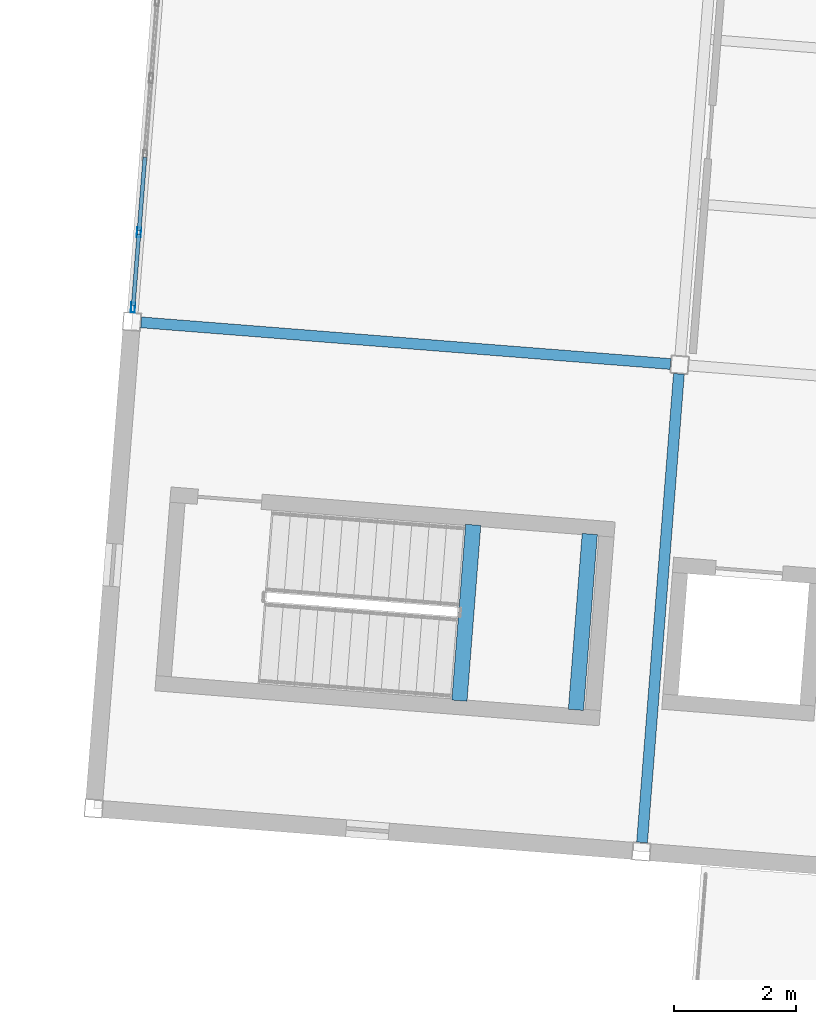
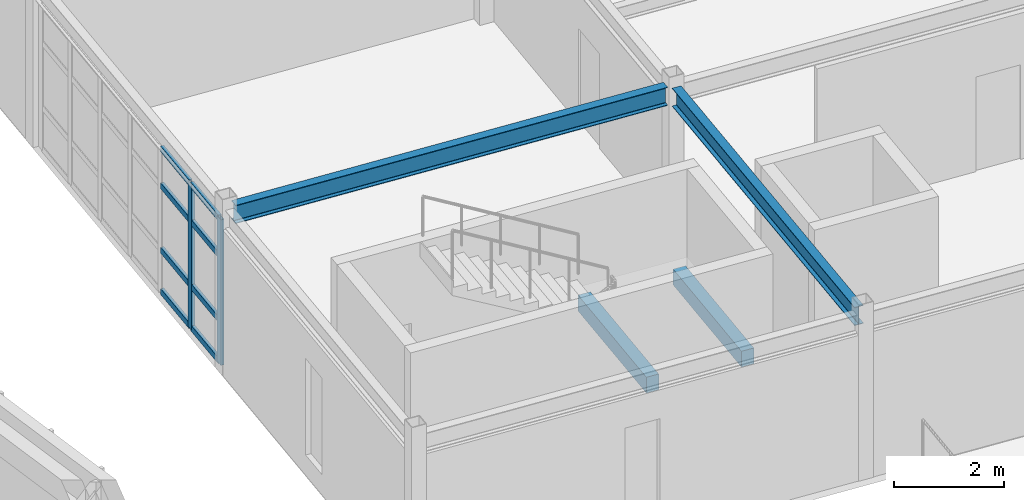
# One storey, part 44 of 150: 10 members, 4 beams, 1 element without a shape of its own.
"""IFC4 building model written with IfcOpenShell, lengths in metres."""

from ifc_helpers import new_model, si_unit, direction, frame, origin, origin_2d, place, context, subcontext, project, spatial, rectangle, hollow_rectangle, i_section, extrude, material, material_profile, profile_set, type_object, element, aggregate, save


model = new_model("IFC4")

# Units and contexts
model_context = context("Model", 3, precision=1e-05, world=origin(), true_north=direction((0.0, 1.0)))
body_context = subcontext(model_context, "Body", "Model", "MODEL_VIEW")
ifc_project = project(units=[si_unit("LENGTHUNIT", "METRE"), si_unit("AREAUNIT", "SQUARE_METRE"), si_unit("VOLUMEUNIT", "CUBIC_METRE"), si_unit("PLANEANGLEUNIT", "RADIAN"), si_unit("MASSUNIT", "GRAM", prefix="KILO")], contexts=[model_context])

# Site, building, storey
site_placement = place(None, origin())
site = spatial("IfcSite", under=ifc_project, at=site_placement, CompositionType="ELEMENT")
building_placement = place(site_placement, origin())
building = spatial("IfcBuilding", under=site, at=building_placement, Name="Kestramere Prow Commons", CompositionType="ELEMENT")
storey_placement = place(building_placement, frame((0.0, 0.0, 4.5)))
storey = spatial("IfcBuildingStorey", under=building, at=storey_placement, Name="L01", CompositionType="ELEMENT", Elevation=4.5)

# Beams
ifc_material_1 = material(Name="Steel S355JR", Category="steel")
ifc_material_profile_1 = material_profile(ifc_material_1, i_section(OverallWidth=0.177978515625, OverallDepth=0.406494140625, WebThickness=0.0078125, FlangeThickness=0.0126953125, FilletRadius=0.01025390625, at=origin_2d()), Name="UB 406x178x60")
ifc_profile_set_1 = profile_set([ifc_material_profile_1], Name="Steel S355JR")
beam_type_1 = type_object("IfcBeamType", Name="BM-NR-01 UB 406x178x60", PredefinedType="BEAM", material=ifc_profile_set_1)
beam_1_placement = place(storey_placement, frame((69.377197265625, 93.463623046875, 3.44677734375), z_axis=(0.996917066238, -0.078462494502, 0.0), x_axis=(0.078462494502, 0.996917066238, 0.0)))
element("IfcBeam", 1, at=beam_1_placement, inside=storey, type_object=beam_type_1, Name="Nursery L01 Beam U 2-1", PredefinedType="BEAM", context=body_context, shape_type="SweptSolid", body=[
    extrude(i_section(OverallWidth=0.177978515625, OverallDepth=0.406494140625, WebThickness=0.0078125, FlangeThickness=0.0126953125, FilletRadius=0.01025390625, at=origin_2d()), origin(), (0.0, 0.0, 1.0), 8.699951171875),
])
beam_2_placement = place(storey_placement, frame((77.583984375, 84.943359375, 3.44677734375), z_axis=(0.078473620365, 0.996916190513, 0.0), x_axis=(-0.996916190513, 0.078473620365, 0.0)))
element("IfcBeam", 2, at=beam_2_placement, inside=storey, type_object=beam_type_1, Name="Nursery L01 Beam V 2-1", PredefinedType="BEAM", context=body_context, shape_type="SweptSolid", body=[
    extrude(i_section(OverallWidth=0.177978515625, OverallDepth=0.406494140625, WebThickness=0.0078125, FlangeThickness=0.0126953125, FilletRadius=0.01025390625, at=origin_2d()), origin(), (0.0, 0.0, 1.0), 7.699951171875),
])
ifc_material_2 = material(Name="Concrete C40/50", Category="concrete")
ifc_material_profile_2 = material_profile(ifc_material_2, rectangle(XDim=0.25, YDim=0.35009765625, at=origin_2d()), Name="PC-BM 250x350")
ifc_profile_set_2 = profile_set([ifc_material_profile_2], Name="Concrete C40/50")
beam_type_2 = type_object("IfcBeamType", Name="BM-ST-TRIM", PredefinedType="BEAM", material=ifc_profile_set_2)
beam_3_placement = place(storey_placement, frame((74.592041015625, 87.265380859375, 1.574951171875), z_axis=(0.078395384877, 0.996922345837, 0.0), x_axis=(-0.996922345837, 0.078395384877, 0.0)))
element("IfcBeam", 3, at=beam_3_placement, inside=storey, type_object=beam_type_2, Name="ST-N1 L01 Landing Trimmer Beam 1A", PredefinedType="BEAM", context=body_context, shape_type="SweptSolid", body=[
    extrude(rectangle(XDim=0.25, YDim=0.35009765625, at=origin_2d()), origin(), (0.0, 0.0, 1.0), 2.889892578125),
])
beam_4_placement = place(storey_placement, frame((76.5009765625, 87.114990234375, 1.574951171875), z_axis=(0.078479342642, 0.99691574006, 0.0), x_axis=(-0.99691574006, 0.078479342642, 0.0)))
element("IfcBeam", 4, at=beam_4_placement, inside=storey, type_object=beam_type_2, Name="ST-N1 L01 Landing Trimmer Beam 1B", PredefinedType="BEAM", context=body_context, shape_type="SweptSolid", body=[
    extrude(rectangle(XDim=0.25, YDim=0.35009765625, at=origin_2d()), origin(), (0.0, 0.0, 1.0), 2.89013671875),
])

# Curtain wall, members
ifc_material_3 = material(Name="Anodised Aluminium and Low-E Glass", Category="aluminium")
curtain_wall_type = type_object("IfcCurtainWallType", Name="CW-16 Glazed Curtain Wall 7600x3230", PredefinedType="USERDEFINED", material=ifc_material_3)
curtain_wall_placement = place(storey_placement, origin())
curtain_wall = element("IfcCurtainWall", 5, at=curtain_wall_placement, inside=storey, type_object=curtain_wall_type, Name="Nursery L01 W End Glazing", ObjectType="GLAZED CURTAIN WALL", PredefinedType="USERDEFINED")
ifc_material_4 = material(Name="Anodised Aluminium 6063-T6", Category="aluminium")
ifc_material_profile_3 = material_profile(ifc_material_4, hollow_rectangle(XDim=0.06494140625, YDim=0.159912109375, WallThickness=0.00390625, at=origin_2d()), Name="ALU-MUL 65x160")
ifc_profile_set_3 = profile_set([ifc_material_profile_3], Name="Anodised Aluminium 6063-T6")
member_type_1 = type_object("IfcMemberType", Name="CW-MUL-65x160", PredefinedType="MULLION", material=ifc_profile_set_3)
member_1_placement = place(storey_placement, frame((69.245849609375, 93.70703125, 0.0), z_axis=(0.0, 0.0, 1.0), x_axis=(-0.996917335259, 0.078459076345, 0.0)))
member_1 = element("IfcMember", 6, at=member_1_placement, type_object=member_type_1, Name="CW-16 mullion 1", PredefinedType="MULLION", context=body_context, shape_type="SweptSolid", body=[
    extrude(hollow_rectangle(XDim=0.06494140625, YDim=0.159912109375, WallThickness=0.00390625, at=origin_2d()), origin(), (0.0, 0.0, 1.0), 3.22998046875),
])
member_2_placement = place(storey_placement, frame((69.3427734375, 94.9375, 0.0), z_axis=(0.0, 0.0, 1.0), x_axis=(-0.996917335259, 0.078459076345, 0.0)))
member_2 = element("IfcMember", 7, at=member_2_placement, type_object=member_type_1, Name="CW-16 mullion 2", PredefinedType="MULLION", context=body_context, shape_type="SweptSolid", body=[
    extrude(hollow_rectangle(XDim=0.06494140625, YDim=0.159912109375, WallThickness=0.00390625, at=origin_2d()), origin(), (0.0, 0.0, 1.0), 3.22998046875),
])
ifc_material_profile_4 = material_profile(ifc_material_4, hollow_rectangle(XDim=0.06494140625, YDim=0.1298828125, WallThickness=0.00390625, at=origin_2d()), Name="ALU-TRN 65x130")
ifc_profile_set_4 = profile_set([ifc_material_profile_4], Name="Anodised Aluminium 6063-T6")
member_type_2 = type_object("IfcMemberType", Name="CW-TRN-65x130", PredefinedType="USERDEFINED", material=ifc_profile_set_4)
member_3_placement = place(storey_placement, frame((69.24853515625, 93.739501953125, 0.032470703125), z_axis=(0.078309262245, 0.996929114555, 0.0), x_axis=(-0.996929114555, 0.078309262245, 0.0)))
member_3 = element("IfcMember", 8, at=member_3_placement, type_object=member_type_2, Name="CW-16 transom 1.1", ObjectType="TRANSOM", PredefinedType="USERDEFINED", context=body_context, shape_type="SweptSolid", body=[
    extrude(hollow_rectangle(XDim=0.06494140625, YDim=0.1298828125, WallThickness=0.00390625, at=origin_2d()), origin(), (0.0, 0.0, 1.0), 1.169189453125),
])
member_4_placement = place(storey_placement, frame((69.24853515625, 93.739501953125, 0.949951171875), z_axis=(0.078309262245, 0.996929114555, 0.0), x_axis=(-0.996929114555, 0.078309262245, 0.0)))
member_4 = element("IfcMember", 9, at=member_4_placement, type_object=member_type_2, Name="CW-16 transom 1.2", ObjectType="TRANSOM", PredefinedType="USERDEFINED", context=body_context, shape_type="SweptSolid", body=[
    extrude(hollow_rectangle(XDim=0.06494140625, YDim=0.1298828125, WallThickness=0.00390625, at=origin_2d()), origin(), (0.0, 0.0, 1.0), 1.169189453125),
])
member_5_placement = place(storey_placement, frame((69.24853515625, 93.739501953125, 2.3798828125), z_axis=(0.078309262245, 0.996929114555, 0.0), x_axis=(-0.996929114555, 0.078309262245, 0.0)))
member_5 = element("IfcMember", 10, at=member_5_placement, type_object=member_type_2, Name="CW-16 transom 1.3", ObjectType="TRANSOM", PredefinedType="USERDEFINED", context=body_context, shape_type="SweptSolid", body=[
    extrude(hollow_rectangle(XDim=0.06494140625, YDim=0.1298828125, WallThickness=0.00390625, at=origin_2d()), origin(), (0.0, 0.0, 1.0), 1.169189453125),
])
member_6_placement = place(storey_placement, frame((69.24853515625, 93.739501953125, 3.197509765625), z_axis=(0.078309262245, 0.996929114555, 0.0), x_axis=(-0.996929114555, 0.078309262245, 0.0)))
member_6 = element("IfcMember", 11, at=member_6_placement, type_object=member_type_2, Name="CW-16 transom 1.4", ObjectType="TRANSOM", PredefinedType="USERDEFINED", context=body_context, shape_type="SweptSolid", body=[
    extrude(hollow_rectangle(XDim=0.06494140625, YDim=0.1298828125, WallThickness=0.00390625, at=origin_2d()), origin(), (0.0, 0.0, 1.0), 1.169189453125),
])
member_7_placement = place(storey_placement, frame((69.34521484375, 94.969970703125, 0.032470703125), z_axis=(0.078638714048, 0.996903181183, 0.0), x_axis=(-0.996903181183, 0.078638714048, 0.0)))
member_7 = element("IfcMember", 12, at=member_7_placement, type_object=member_type_2, Name="CW-16 transom 2.1", ObjectType="TRANSOM", PredefinedType="USERDEFINED", context=body_context, shape_type="SweptSolid", body=[
    extrude(hollow_rectangle(XDim=0.06494140625, YDim=0.1298828125, WallThickness=0.00390625, at=origin_2d()), origin(), (0.0, 0.0, 1.0), 1.201416015625),
])
member_8_placement = place(storey_placement, frame((69.34521484375, 94.969970703125, 0.949951171875), z_axis=(0.078638714048, 0.996903181183, 0.0), x_axis=(-0.996903181183, 0.078638714048, 0.0)))
member_8 = element("IfcMember", 13, at=member_8_placement, type_object=member_type_2, Name="CW-16 transom 2.2", ObjectType="TRANSOM", PredefinedType="USERDEFINED", context=body_context, shape_type="SweptSolid", body=[
    extrude(hollow_rectangle(XDim=0.06494140625, YDim=0.1298828125, WallThickness=0.00390625, at=origin_2d()), origin(), (0.0, 0.0, 1.0), 1.201416015625),
])
member_9_placement = place(storey_placement, frame((69.34521484375, 94.969970703125, 2.3798828125), z_axis=(0.078638714048, 0.996903181183, 0.0), x_axis=(-0.996903181183, 0.078638714048, 0.0)))
member_9 = element("IfcMember", 14, at=member_9_placement, type_object=member_type_2, Name="CW-16 transom 2.3", ObjectType="TRANSOM", PredefinedType="USERDEFINED", context=body_context, shape_type="SweptSolid", body=[
    extrude(hollow_rectangle(XDim=0.06494140625, YDim=0.1298828125, WallThickness=0.00390625, at=origin_2d()), origin(), (0.0, 0.0, 1.0), 1.201416015625),
])
member_10_placement = place(storey_placement, frame((69.34521484375, 94.969970703125, 3.197509765625), z_axis=(0.078638714048, 0.996903181183, 0.0), x_axis=(-0.996903181183, 0.078638714048, 0.0)))
member_10 = element("IfcMember", 15, at=member_10_placement, type_object=member_type_2, Name="CW-16 transom 2.4", ObjectType="TRANSOM", PredefinedType="USERDEFINED", context=body_context, shape_type="SweptSolid", body=[
    extrude(hollow_rectangle(XDim=0.06494140625, YDim=0.1298828125, WallThickness=0.00390625, at=origin_2d()), origin(), (0.0, 0.0, 1.0), 1.201416015625),
])
aggregate(curtain_wall, [member_1, member_2, member_3, member_4, member_5, member_6, member_7, member_8, member_9, member_10])

save(model, "model.ifc")
